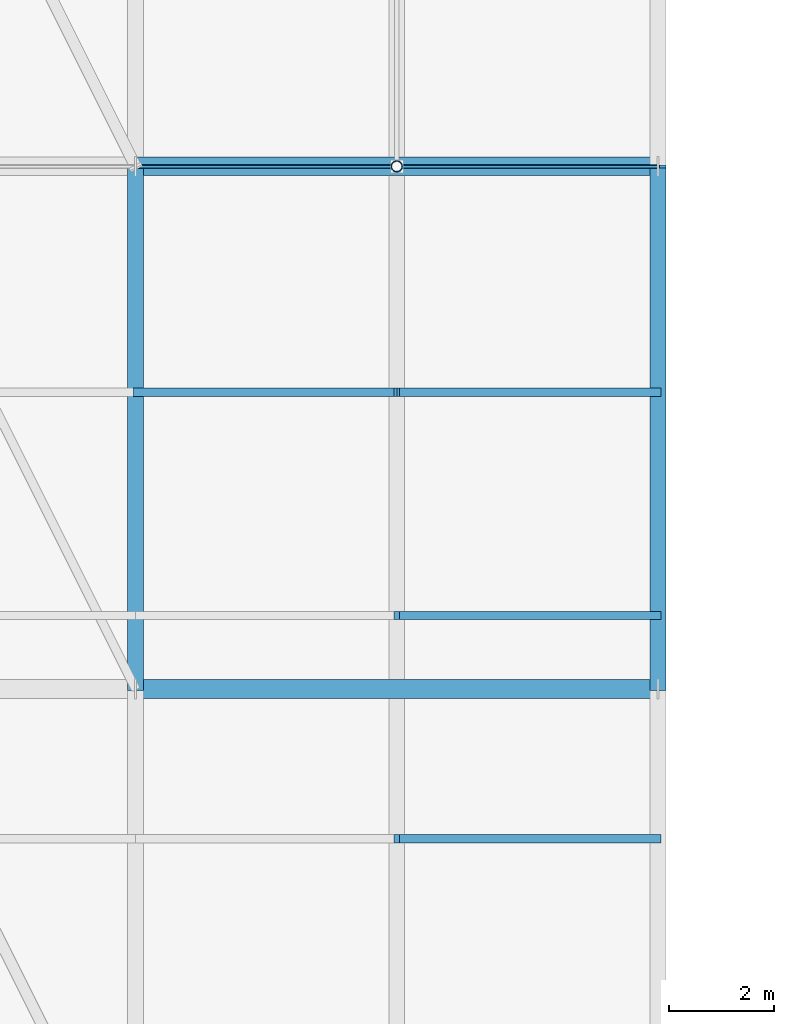
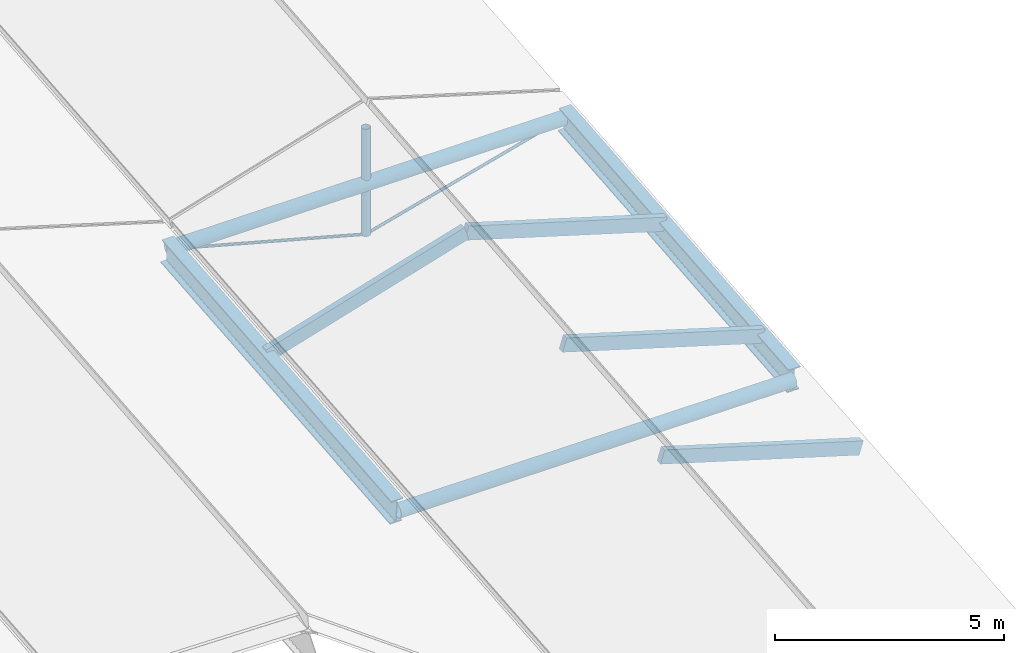
# One storey, part 22 of 90: 7 members, 4 beams.
"""IFC4 building model written with IfcOpenShell, lengths in metres."""

from ifc_helpers import new_model, si_unit, direction, frame, origin, origin_2d, place, context, subcontext, project, spatial, rectangle, circle, hollow_circle, i_section, extrude, material, material_profile, profile_set, type_object, element, save


model = new_model("IFC4")

# Units and contexts
model_context = context("Model", 3, precision=1e-05, world=origin(), true_north=direction((0.0, 1.0)))
body_context = subcontext(model_context, "Body", "Model", "MODEL_VIEW")
ifc_project = project(units=[si_unit("LENGTHUNIT", "METRE"), si_unit("AREAUNIT", "SQUARE_METRE"), si_unit("VOLUMEUNIT", "CUBIC_METRE"), si_unit("PLANEANGLEUNIT", "RADIAN"), si_unit("MASSUNIT", "GRAM", prefix="KILO"), si_unit("THERMODYNAMICTEMPERATUREUNIT", "KELVIN"), si_unit("POWERUNIT", "WATT")], contexts=[model_context])

# Site, building, storey
site_placement = place(None, origin())
site = spatial("IfcSite", under=ifc_project, at=site_placement, CompositionType="ELEMENT")
building_placement = place(site_placement, origin())
building = spatial("IfcBuilding", under=site, at=building_placement, Name="Korenveer Ferry Terminal", CompositionType="ELEMENT")
storey_placement = place(building_placement, frame((0.0, 0.0, 22.199951171875)))
storey = spatial("IfcBuildingStorey", under=building, at=storey_placement, Name="RF", CompositionType="ELEMENT", Elevation=22.199951171875)

# Beams
ifc_material_1 = material(Name="Steel S355", Category="steel")
ifc_material_profile_1 = material_profile(ifc_material_1, i_section(OverallWidth=0.300048828125, OverallDepth=0.64990234375, WebThickness=0.01611328125, FlangeThickness=0.031005859375, FilletRadius=0.027099609375, at=origin_2d()), Name="HEB 650")
ifc_profile_set_1 = profile_set([ifc_material_profile_1], Name="Steel S355")
beam_type_1 = type_object("IfcBeamType", Name="STR-BM-HEB650", PredefinedType="BEAM", material=ifc_profile_set_1)
for number, where, z_axis, x_axis, name in (
    (1, (113.0, 40.0, -9.585693359375), (0.0, 0.995903364261, 0.090423940715), (-1.0, 0.0, 0.0), "Folded roof valley girder 50"),
    (2, (123.0, 40.0, -9.585693359375), (0.0, 0.995903364261, 0.090423940715), (-1.0, 0.0, 0.0), "Folded roof valley girder 55"),
):
    element("IfcBeam", number, at=place(storey_placement, frame(where, z_axis=z_axis, x_axis=x_axis)), inside=storey, type_object=beam_type_1, Name=name, PredefinedType="BEAM", context=body_context, shape_type="SweptSolid", body=[
        extrude(i_section(OverallWidth=0.300048828125, OverallDepth=0.64990234375, WebThickness=0.01611328125, FlangeThickness=0.031005859375, FilletRadius=0.027099609375, at=origin_2d()), origin(), (0.0, 0.0, 1.0), 10.041015625),
    ])

# Members
ifc_material_2 = material(Name="High-strength steel S460", Category="steel")
ifc_material_profile_2 = material_profile(ifc_material_2, circle(Radius=0.0380859375, at=origin_2d()), Name="ROD D76")
ifc_profile_set_2 = profile_set([ifc_material_profile_2], Name="High-strength steel S460")
member_type_1 = type_object("IfcMemberType", Name="STR-CBL-D76", PredefinedType="USERDEFINED", material=ifc_profile_set_2)
for number, where, z_axis, x_axis, name in (
    (3, (113.0, 50.0, -8.677734375), (0.965436200058, 0.0, -0.260639489752), (0.0, 1.0, 0.0), "Roof tension tie cable 27"),
    (4, (123.0, 50.0, -8.677734375), (-0.965436200058, 0.0, -0.260639489752), (0.0, -1.0, 0.0), "Roof tension tie cable 28"),
):
    element("IfcMember", number, at=place(storey_placement, frame(where, z_axis=z_axis, x_axis=x_axis)), inside=storey, type_object=member_type_1, Name=name, ObjectType="CABLE", PredefinedType="USERDEFINED", context=body_context, shape_type="SweptSolid", body=[
        extrude(circle(Radius=0.0380859375, at=origin_2d()), origin(), (0.0, 0.0, 1.0), 5.178955078125),
    ])
ifc_material_3 = material(Name="Glulam GL28h", Category="wood")
ifc_material_profile_3 = material_profile(ifc_material_3, rectangle(XDim=0.159912109375, YDim=0.360107421875, at=origin_2d()), Name="GL 160x360")
ifc_profile_set_3 = profile_set([ifc_material_profile_3], Name="Glulam GL28h")
member_type_2 = type_object("IfcMemberType", Name="STR-PUR-GL160", PredefinedType="PURLIN", material=ifc_profile_set_3)
for number, where, z_axis, x_axis, name in (
    (5, (113.0, 45.678466796875, -8.8486328125), (0.957323074362, 0.0, 0.289019949647), (0.0, 1.0, 0.0), "Folded roof glulam purlin 222"),
    (6, (118.0, 37.1357421875, -8.11474609375), (0.957310140112, 0.0, -0.289062788401), (0.0, 1.0, 0.0), "Folded roof glulam purlin 226"),
    (7, (118.0, 41.4072265625, -7.726806640625), (0.957310140112, 0.0, -0.289062788401), (0.0, 1.0, 0.0), "Folded roof glulam purlin 227"),
    (8, (118.0, 45.678466796875, -7.339111328125), (0.957323074362, 0.0, -0.289019949647), (0.0, 1.0, 0.0), "Folded roof glulam purlin 228"),
):
    element("IfcMember", number, at=place(storey_placement, frame(where, z_axis=z_axis, x_axis=x_axis)), inside=storey, type_object=member_type_2, Name=name, PredefinedType="PURLIN", context=body_context, shape_type="SweptSolid", body=[
        extrude(rectangle(XDim=0.159912109375, YDim=0.360107421875, at=origin_2d()), origin(), (0.0, 0.0, 1.0), 5.222900390625),
    ])

# Beams
ifc_material_profile_4 = material_profile(ifc_material_1, hollow_circle(Radius=0.177734375, WallThickness=0.01611328125, at=origin_2d()), Name="CHS 355.6x16")
ifc_profile_set_4 = profile_set([ifc_material_profile_4], Name="Steel S355")
beam_type_2 = type_object("IfcBeamType", Name="STR-RFG-CHS355", PredefinedType="USERDEFINED", material=ifc_profile_set_4)
for number, where, z_axis, x_axis, name in (
    (9, (113.02001953125, 40.0, -9.585693359375), (1.0, 0.0, 0.0), (0.0, 1.0, 0.0), "Roof transverse tie girder 95"),
    (10, (113.02001953125, 50.0, -8.677734375), (1.0, 0.0, 0.0), (0.0, 1.0, 0.0), "Roof transverse tie girder 102"),
):
    element("IfcBeam", number, at=place(storey_placement, frame(where, z_axis=z_axis, x_axis=x_axis)), inside=storey, type_object=beam_type_2, Name=name, ObjectType="ROOF GIRDER", PredefinedType="USERDEFINED", context=body_context, shape_type="SweptSolid", body=[
        extrude(hollow_circle(Radius=0.177734375, WallThickness=0.01611328125, at=origin_2d()), origin(), (0.0, 0.0, 1.0), 9.9599609375),
    ])

# Member
ifc_material_profile_5 = material_profile(ifc_material_1, hollow_circle(Radius=0.109619140625, WallThickness=0.012451171875, at=origin_2d()), Name="CHS 219.1x12.5")
ifc_profile_set_5 = profile_set([ifc_material_profile_5], Name="Steel S355")
member_type_3 = type_object("IfcMemberType", Name="STR-STT-CHS219", PredefinedType="STRUT", material=ifc_profile_set_5)
member_placement = place(storey_placement, frame((118.0, 50.0, -10.027587890625), z_axis=(0.0, 0.0, 1.0), x_axis=(1.0, 0.0, 0.0)))
element("IfcMember", 11, at=member_placement, inside=storey, type_object=member_type_3, Name="Roof king-post strut STTKP-Y50-B6", PredefinedType="STRUT", context=body_context, shape_type="SweptSolid", body=[
    extrude(hollow_circle(Radius=0.109619140625, WallThickness=0.012451171875, at=origin_2d()), origin(), (0.0, 0.0, 1.0), 2.859619140625),
])

save(model, "model.ifc")
